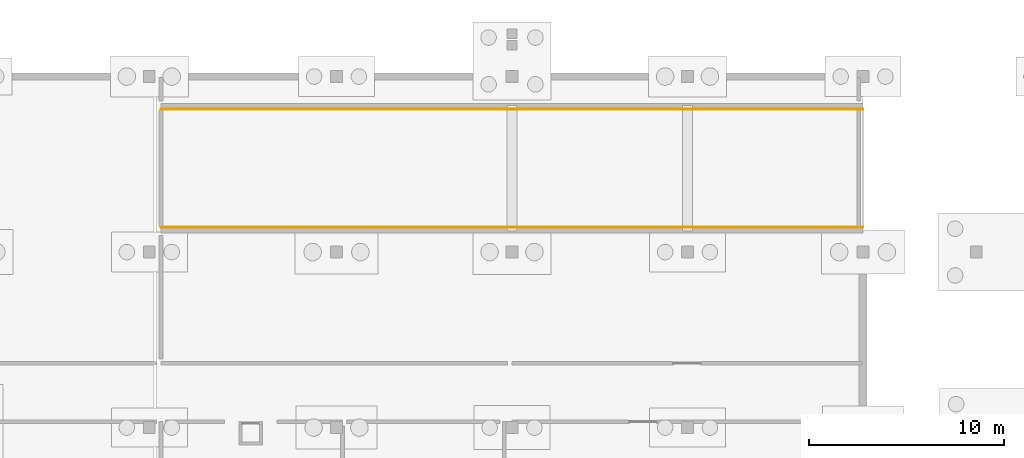
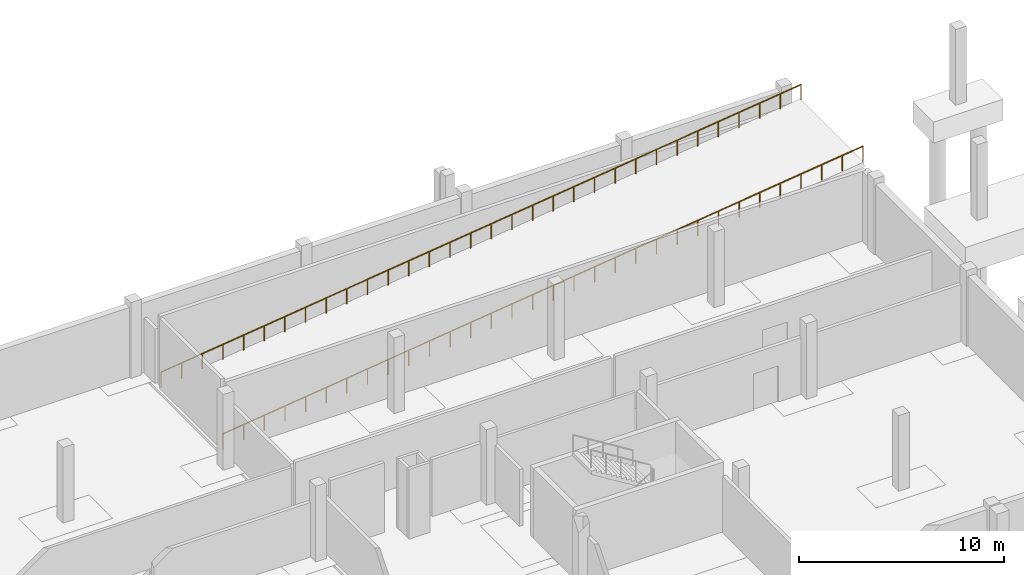
# One storey, part 35 of 36: 2 railings.
"""IFC4 building model written with IfcOpenShell, lengths in metres."""

from ifc_helpers import new_model, si_unit, direction, frame, origin, origin_2d, place, context, subcontext, project, spatial, circle, extrude, material, layer, layer_set, type_object, element, save


model = new_model("IFC4")

# Units and contexts
model_context = context("Model", 3, precision=1e-05, world=origin(), true_north=direction((0.0, 1.0)))
body_context = subcontext(model_context, "Body", "Model", "MODEL_VIEW")
ifc_project = project(units=[si_unit("LENGTHUNIT", "METRE"), si_unit("AREAUNIT", "SQUARE_METRE"), si_unit("VOLUMEUNIT", "CUBIC_METRE"), si_unit("PLANEANGLEUNIT", "RADIAN"), si_unit("MASSUNIT", "GRAM", prefix="KILO")], contexts=[model_context])

# Site, building, storey
site_placement = place(None, origin())
site = spatial("IfcSite", under=ifc_project, at=site_placement, CompositionType="ELEMENT")
building_placement = place(site_placement, origin())
building = spatial("IfcBuilding", under=site, at=building_placement, Name="Chiffa Square Polytechnic", CompositionType="ELEMENT")
storey_placement = place(building_placement, frame((0.0, 0.0, -4.5)))
storey = spatial("IfcBuildingStorey", under=building, at=storey_placement, Name="B1", CompositionType="ELEMENT", Elevation=-4.5)

# Railings
ifc_material = material(Name="Steel S355", Category="steel")
ifc_layer = layer(ifc_material, 0.044921875, Name="Steel S355")
ifc_layer_set = layer_set([ifc_layer], Name="Steel S355")
railing_type = type_object("IfcRailingType", Name="RL-STAIR-HAND", PredefinedType="HANDRAIL", material=ifc_layer_set)
railing_1_placement = place(storey_placement, frame((112.199951171875, 123.080078125, 0.0)))
element("IfcRailing", 1, at=railing_1_placement, inside=storey, type_object=railing_type, Name="Ramp south handrail", PredefinedType="HANDRAIL", context=body_context, shape_type="SweptSolid", body=[
    extrude(circle(Radius=0.02392578125, at=origin_2d()), frame((0.0, 0.0, 0.89599609375), z_axis=(0.992277876714, 0.0, 0.124034734589), x_axis=(0.0, 1.0, 0.0)), (0.0, 0.0, 1.0), 36.2802734375),
    extrude(circle(Radius=0.02099609375, at=origin_2d()), origin(), (0.0, 0.0, 1.0), 0.871826171875),
    extrude(circle(Radius=0.02099609375, at=origin_2d()), frame((1.161376953125, 0.0, 0.145263671875)), (0.0, 0.0, 1.0), 0.871826171875),
    extrude(circle(Radius=0.02099609375, at=origin_2d()), frame((2.322509765625, 0.0, 0.290283203125)), (0.0, 0.0, 1.0), 0.871826171875),
    extrude(circle(Radius=0.02099609375, at=origin_2d()), frame((3.48388671875, 0.0, 0.435546875)), (0.0, 0.0, 1.0), 0.871826171875),
    extrude(circle(Radius=0.02099609375, at=origin_2d()), frame((4.645263671875, 0.0, 0.58056640625)), (0.0, 0.0, 1.0), 0.871826171875),
    extrude(circle(Radius=0.02099609375, at=origin_2d()), frame((5.806396484375, 0.0, 0.725830078125)), (0.0, 0.0, 1.0), 0.871826171875),
    extrude(circle(Radius=0.02099609375, at=origin_2d()), frame((6.9677734375, 0.0, 0.870849609375)), (0.0, 0.0, 1.0), 0.871826171875),
    extrude(circle(Radius=0.02099609375, at=origin_2d()), frame((8.129150390625, 0.0, 1.01611328125)), (0.0, 0.0, 1.0), 0.871826171875),
    extrude(circle(Radius=0.02099609375, at=origin_2d()), frame((9.290283203125, 0.0, 1.161376953125)), (0.0, 0.0, 1.0), 0.871826171875),
    extrude(circle(Radius=0.02099609375, at=origin_2d()), frame((10.45166015625, 0.0, 1.306396484375)), (0.0, 0.0, 1.0), 0.871826171875),
    extrude(circle(Radius=0.02099609375, at=origin_2d()), frame((11.61279296875, 0.0, 1.45166015625)), (0.0, 0.0, 1.0), 0.871826171875),
    extrude(circle(Radius=0.02099609375, at=origin_2d()), frame((12.774169921875, 0.0, 1.5966796875)), (0.0, 0.0, 1.0), 0.871826171875),
    extrude(circle(Radius=0.02099609375, at=origin_2d()), frame((13.935546875, 0.0, 1.741943359375)), (0.0, 0.0, 1.0), 0.871826171875),
    extrude(circle(Radius=0.02099609375, at=origin_2d()), frame((15.0966796875, 0.0, 1.88720703125)), (0.0, 0.0, 1.0), 0.871826171875),
    extrude(circle(Radius=0.02099609375, at=origin_2d()), frame((16.258056640625, 0.0, 2.0322265625)), (0.0, 0.0, 1.0), 0.871826171875),
    extrude(circle(Radius=0.02099609375, at=origin_2d()), frame((17.41943359375, 0.0, 2.177490234375)), (0.0, 0.0, 1.0), 0.871826171875),
    extrude(circle(Radius=0.02099609375, at=origin_2d()), frame((18.58056640625, 0.0, 2.322509765625)), (0.0, 0.0, 1.0), 0.871826171875),
    extrude(circle(Radius=0.02099609375, at=origin_2d()), frame((19.741943359375, 0.0, 2.4677734375)), (0.0, 0.0, 1.0), 0.871826171875),
    extrude(circle(Radius=0.02099609375, at=origin_2d()), frame((20.9033203125, 0.0, 2.61279296875)), (0.0, 0.0, 1.0), 0.871826171875),
    extrude(circle(Radius=0.02099609375, at=origin_2d()), frame((22.064453125, 0.0, 2.758056640625)), (0.0, 0.0, 1.0), 0.871826171875),
    extrude(circle(Radius=0.02099609375, at=origin_2d()), frame((23.225830078125, 0.0, 2.9033203125)), (0.0, 0.0, 1.0), 0.871826171875),
    extrude(circle(Radius=0.02099609375, at=origin_2d()), frame((24.38720703125, 0.0, 3.04833984375)), (0.0, 0.0, 1.0), 0.871826171875),
    extrude(circle(Radius=0.02099609375, at=origin_2d()), frame((25.54833984375, 0.0, 3.193603515625)), (0.0, 0.0, 1.0), 0.871826171875),
    extrude(circle(Radius=0.02099609375, at=origin_2d()), frame((26.709716796875, 0.0, 3.338623046875)), (0.0, 0.0, 1.0), 0.871826171875),
    extrude(circle(Radius=0.02099609375, at=origin_2d()), frame((27.870849609375, 0.0, 3.48388671875)), (0.0, 0.0, 1.0), 0.871826171875),
    extrude(circle(Radius=0.02099609375, at=origin_2d()), frame((29.0322265625, 0.0, 3.629150390625)), (0.0, 0.0, 1.0), 0.871826171875),
    extrude(circle(Radius=0.02099609375, at=origin_2d()), frame((30.193603515625, 0.0, 3.774169921875)), (0.0, 0.0, 1.0), 0.871826171875),
    extrude(circle(Radius=0.02099609375, at=origin_2d()), frame((31.354736328125, 0.0, 3.91943359375)), (0.0, 0.0, 1.0), 0.871826171875),
    extrude(circle(Radius=0.02099609375, at=origin_2d()), frame((32.51611328125, 0.0, 4.064453125)), (0.0, 0.0, 1.0), 0.871826171875),
    extrude(circle(Radius=0.02099609375, at=origin_2d()), frame((33.677490234375, 0.0, 4.209716796875)), (0.0, 0.0, 1.0), 0.871826171875),
    extrude(circle(Radius=0.02099609375, at=origin_2d()), frame((34.838623046875, 0.0, 4.354736328125)), (0.0, 0.0, 1.0), 0.871826171875),
    extrude(circle(Radius=0.02099609375, at=origin_2d()), frame((36.0, 0.0, 4.5)), (0.0, 0.0, 1.0), 0.871826171875),
])
railing_2_placement = place(storey_placement, frame((112.199951171875, 129.1201171875, 0.0)))
element("IfcRailing", 2, at=railing_2_placement, inside=storey, type_object=railing_type, Name="Ramp north handrail", PredefinedType="HANDRAIL", context=body_context, shape_type="SweptSolid", body=[
    extrude(circle(Radius=0.02392578125, at=origin_2d()), frame((0.0, 0.0, 0.89599609375), z_axis=(0.992277876714, 0.0, 0.124034734589), x_axis=(0.0, 1.0, 0.0)), (0.0, 0.0, 1.0), 36.2802734375),
    extrude(circle(Radius=0.02099609375, at=origin_2d()), origin(), (0.0, 0.0, 1.0), 0.871826171875),
    extrude(circle(Radius=0.02099609375, at=origin_2d()), frame((1.161376953125, 0.0, 0.145263671875)), (0.0, 0.0, 1.0), 0.871826171875),
    extrude(circle(Radius=0.02099609375, at=origin_2d()), frame((2.322509765625, 0.0, 0.290283203125)), (0.0, 0.0, 1.0), 0.871826171875),
    extrude(circle(Radius=0.02099609375, at=origin_2d()), frame((3.48388671875, 0.0, 0.435546875)), (0.0, 0.0, 1.0), 0.871826171875),
    extrude(circle(Radius=0.02099609375, at=origin_2d()), frame((4.645263671875, 0.0, 0.58056640625)), (0.0, 0.0, 1.0), 0.871826171875),
    extrude(circle(Radius=0.02099609375, at=origin_2d()), frame((5.806396484375, 0.0, 0.725830078125)), (0.0, 0.0, 1.0), 0.871826171875),
    extrude(circle(Radius=0.02099609375, at=origin_2d()), frame((6.9677734375, 0.0, 0.870849609375)), (0.0, 0.0, 1.0), 0.871826171875),
    extrude(circle(Radius=0.02099609375, at=origin_2d()), frame((8.129150390625, 0.0, 1.01611328125)), (0.0, 0.0, 1.0), 0.871826171875),
    extrude(circle(Radius=0.02099609375, at=origin_2d()), frame((9.290283203125, 0.0, 1.161376953125)), (0.0, 0.0, 1.0), 0.871826171875),
    extrude(circle(Radius=0.02099609375, at=origin_2d()), frame((10.45166015625, 0.0, 1.306396484375)), (0.0, 0.0, 1.0), 0.871826171875),
    extrude(circle(Radius=0.02099609375, at=origin_2d()), frame((11.61279296875, 0.0, 1.45166015625)), (0.0, 0.0, 1.0), 0.871826171875),
    extrude(circle(Radius=0.02099609375, at=origin_2d()), frame((12.774169921875, 0.0, 1.5966796875)), (0.0, 0.0, 1.0), 0.871826171875),
    extrude(circle(Radius=0.02099609375, at=origin_2d()), frame((13.935546875, 0.0, 1.741943359375)), (0.0, 0.0, 1.0), 0.871826171875),
    extrude(circle(Radius=0.02099609375, at=origin_2d()), frame((15.0966796875, 0.0, 1.88720703125)), (0.0, 0.0, 1.0), 0.871826171875),
    extrude(circle(Radius=0.02099609375, at=origin_2d()), frame((16.258056640625, 0.0, 2.0322265625)), (0.0, 0.0, 1.0), 0.871826171875),
    extrude(circle(Radius=0.02099609375, at=origin_2d()), frame((17.41943359375, 0.0, 2.177490234375)), (0.0, 0.0, 1.0), 0.871826171875),
    extrude(circle(Radius=0.02099609375, at=origin_2d()), frame((18.58056640625, 0.0, 2.322509765625)), (0.0, 0.0, 1.0), 0.871826171875),
    extrude(circle(Radius=0.02099609375, at=origin_2d()), frame((19.741943359375, 0.0, 2.4677734375)), (0.0, 0.0, 1.0), 0.871826171875),
    extrude(circle(Radius=0.02099609375, at=origin_2d()), frame((20.9033203125, 0.0, 2.61279296875)), (0.0, 0.0, 1.0), 0.871826171875),
    extrude(circle(Radius=0.02099609375, at=origin_2d()), frame((22.064453125, 0.0, 2.758056640625)), (0.0, 0.0, 1.0), 0.871826171875),
    extrude(circle(Radius=0.02099609375, at=origin_2d()), frame((23.225830078125, 0.0, 2.9033203125)), (0.0, 0.0, 1.0), 0.871826171875),
    extrude(circle(Radius=0.02099609375, at=origin_2d()), frame((24.38720703125, 0.0, 3.04833984375)), (0.0, 0.0, 1.0), 0.871826171875),
    extrude(circle(Radius=0.02099609375, at=origin_2d()), frame((25.54833984375, 0.0, 3.193603515625)), (0.0, 0.0, 1.0), 0.871826171875),
    extrude(circle(Radius=0.02099609375, at=origin_2d()), frame((26.709716796875, 0.0, 3.338623046875)), (0.0, 0.0, 1.0), 0.871826171875),
    extrude(circle(Radius=0.02099609375, at=origin_2d()), frame((27.870849609375, 0.0, 3.48388671875)), (0.0, 0.0, 1.0), 0.871826171875),
    extrude(circle(Radius=0.02099609375, at=origin_2d()), frame((29.0322265625, 0.0, 3.629150390625)), (0.0, 0.0, 1.0), 0.871826171875),
    extrude(circle(Radius=0.02099609375, at=origin_2d()), frame((30.193603515625, 0.0, 3.774169921875)), (0.0, 0.0, 1.0), 0.871826171875),
    extrude(circle(Radius=0.02099609375, at=origin_2d()), frame((31.354736328125, 0.0, 3.91943359375)), (0.0, 0.0, 1.0), 0.871826171875),
    extrude(circle(Radius=0.02099609375, at=origin_2d()), frame((32.51611328125, 0.0, 4.064453125)), (0.0, 0.0, 1.0), 0.871826171875),
    extrude(circle(Radius=0.02099609375, at=origin_2d()), frame((33.677490234375, 0.0, 4.209716796875)), (0.0, 0.0, 1.0), 0.871826171875),
    extrude(circle(Radius=0.02099609375, at=origin_2d()), frame((34.838623046875, 0.0, 4.354736328125)), (0.0, 0.0, 1.0), 0.871826171875),
    extrude(circle(Radius=0.02099609375, at=origin_2d()), frame((36.0, 0.0, 4.5)), (0.0, 0.0, 1.0), 0.871826171875),
])

save(model, "model.ifc")
